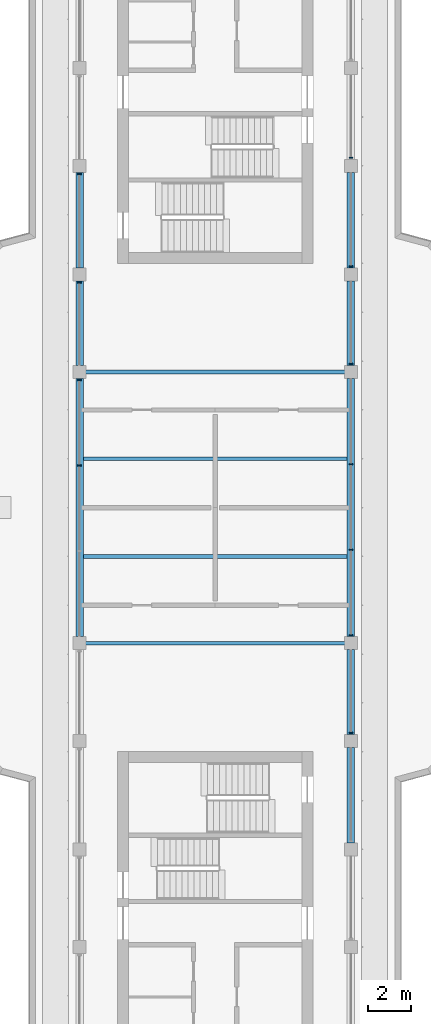
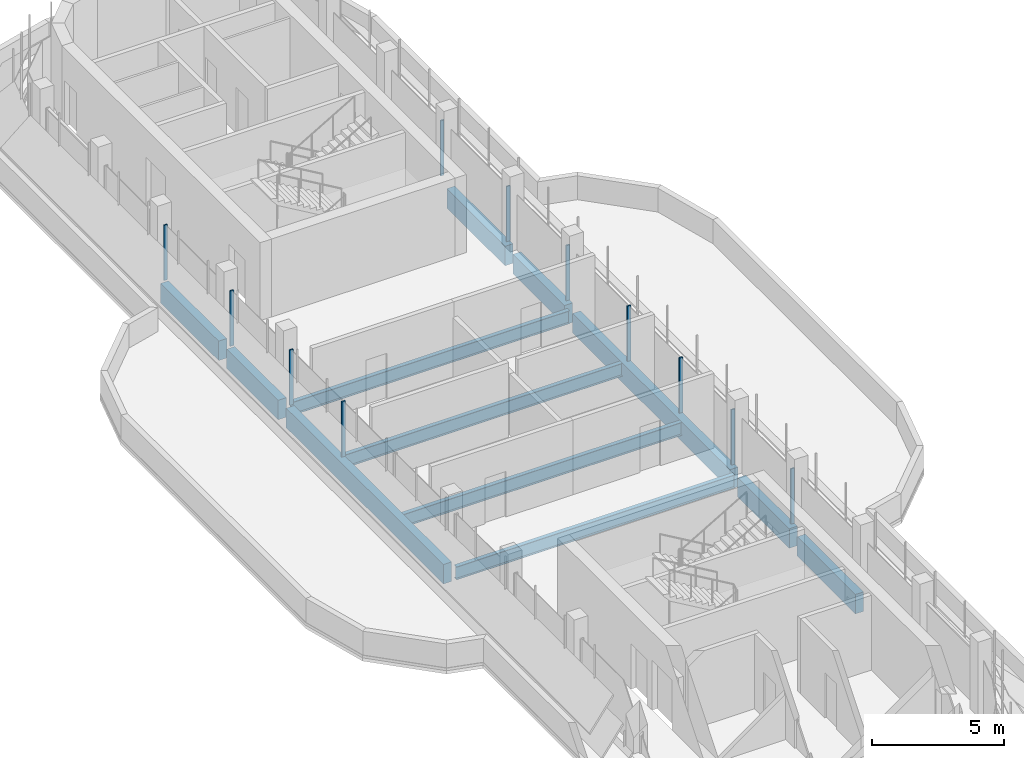
# One storey, part 3 of 12: 12 beams, 11 members, 2 elements without a shape of their own.
"""IFC4 building model written with IfcOpenShell, lengths in metres."""

from ifc_helpers import new_model, si_unit, direction, frame, origin, origin_2d, place, context, subcontext, project, spatial, polyline, rectangle, i_section, outline, extrude, source, transform, mapped, material, material_profile, profile_set, type_object, element, aggregate, save


model = new_model("IFC4")

# Units and contexts
model_context = context("Model", 3, precision=1e-05, world=origin(), true_north=direction((0.0, 1.0)))
body_context = subcontext(model_context, "Body", "Model", "MODEL_VIEW")
ifc_project = project(units=[si_unit("LENGTHUNIT", "METRE"), si_unit("AREAUNIT", "SQUARE_METRE"), si_unit("VOLUMEUNIT", "CUBIC_METRE"), si_unit("PLANEANGLEUNIT", "RADIAN"), si_unit("MASSUNIT", "GRAM", prefix="KILO")], contexts=[model_context])

# Site, building, storey
site_placement = place(None, origin())
site = spatial("IfcSite", under=ifc_project, at=site_placement, CompositionType="ELEMENT")
building_placement = place(site_placement, origin())
building = spatial("IfcBuilding", under=site, at=building_placement, Name="Zarbagh Exchange Tower", CompositionType="ELEMENT")
storey_placement = place(building_placement, frame((0.0, 0.0, 306.0)))
storey = spatial("IfcBuildingStorey", under=building, at=storey_placement, Name="L75", CompositionType="ELEMENT", Elevation=306.0)

# Beams
ifc_material_1 = material(Name="Steel ASTM A992 Gr 50", Category="steel")
ifc_material_profile_1 = material_profile(ifc_material_1, i_section(OverallWidth=0.1787109375, OverallDepth=0.60205078125, WebThickness=0.010986328125, FlangeThickness=0.014892578125, at=origin_2d()), Name="W24X62")
ifc_profile_set_1 = profile_set([ifc_material_profile_1], Name="Steel ASTM A992 Gr 50")
beam_type_1 = type_object("IfcBeamType", Name="Floor beam W24X62", PredefinedType="BEAM", material=ifc_profile_set_1)
for number, where, z_axis, x_axis, name in (
    (1, (-6.074951171875, -6.25, -0.450927734375), (1.0, 0.0, 0.0), (0.0, 1.0, 0.0), "Steel floor beam"),
    (2, (-6.074951171875, -2.25, -0.450927734375), (1.0, 0.0, 0.0), (0.0, 1.0, 0.0), "Steel floor beam"),
    (3, (-6.074951171875, 2.25, -0.450927734375), (1.0, 0.0, 0.0), (0.0, 1.0, 0.0), "Steel floor beam"),
    (4, (-6.074951171875, 6.25, -0.450927734375), (1.0, 0.0, 0.0), (0.0, 1.0, 0.0), "Steel floor beam"),
):
    element("IfcBeam", number, at=place(storey_placement, frame(where, z_axis=z_axis, x_axis=x_axis)), inside=storey, type_object=beam_type_1, Name=name, PredefinedType="BEAM", context=body_context, shape_type="SweptSolid", body=[
        extrude(i_section(OverallWidth=0.1787109375, OverallDepth=0.60205078125, WebThickness=0.010986328125, FlangeThickness=0.014892578125, at=origin_2d()), origin(), (0.0, 0.0, 1.0), 12.14990234375),
    ])
ifc_material_2 = material(Name="Concrete C40/50", Category="concrete")
ifc_material_profile_2 = material_profile(ifc_material_2, rectangle(XDim=0.35009765625, YDim=0.89990234375, at=origin_2d()), Name="RC spandrel beam 350 x 900 C40/50")
ifc_profile_set_2 = profile_set([ifc_material_profile_2], Name="Concrete C40/50")
beam_type_2 = type_object("IfcBeamType", Name="RC spandrel beam 350 x 900 C40/50", PredefinedType="SPANDREL", material=ifc_profile_set_2)
beam_1_placement = place(storey_placement, frame((-6.25, -5.949951171875, -0.60009765625), z_axis=(0.0, 1.0, 0.0), x_axis=(-1.0, 0.0, 0.0)))
element("IfcBeam", 5, at=beam_1_placement, inside=storey, type_object=beam_type_2, Name="RC spandrel beam", PredefinedType="SPANDREL", context=body_context, shape_type="SweptSolid", body=[
    extrude(rectangle(XDim=0.35009765625, YDim=0.89990234375, at=origin_2d()), origin(), (0.0, 0.0, 1.0), 11.89990234375),
])
beam_2_placement = place(storey_placement, frame((-6.25, 6.550048828125, -0.60009765625), z_axis=(0.0, 1.0, 0.0), x_axis=(-1.0, 0.0, 0.0)))
element("IfcBeam", 6, at=beam_2_placement, inside=storey, type_object=beam_type_2, Name="RC spandrel beam", PredefinedType="SPANDREL", context=body_context, shape_type="SweptSolid", body=[
    extrude(rectangle(XDim=0.35009765625, YDim=0.89990234375, at=origin_2d()), origin(), (0.0, 0.0, 1.0), 3.89990234375),
])
for number, where, z_axis, x_axis, name in (
    (7, (-6.25, 11.050048828125, -0.60009765625), (0.0, 1.0, 0.0), (-1.0, 0.0, 0.0), "RC spandrel beam"),
    (8, (6.25, 15.449951171875, -0.60009765625), (0.0, -1.0, 0.0), (1.0, 0.0, 0.0), "RC spandrel beam"),
):
    element("IfcBeam", number, at=place(storey_placement, frame(where, z_axis=z_axis, x_axis=x_axis)), inside=storey, type_object=beam_type_2, Name=name, PredefinedType="SPANDREL", context=body_context, shape_type="SweptSolid", body=[
        extrude(rectangle(XDim=0.35009765625, YDim=0.89990234375, at=origin_2d()), origin(), (0.0, 0.0, 1.0), 4.39990234375),
    ])
beam_3_placement = place(storey_placement, frame((6.25, 10.449951171875, -0.60009765625), z_axis=(0.0, -1.0, 0.0), x_axis=(1.0, 0.0, 0.0)))
element("IfcBeam", 9, at=beam_3_placement, inside=storey, type_object=beam_type_2, Name="RC spandrel beam", PredefinedType="SPANDREL", context=body_context, shape_type="SweptSolid", body=[
    extrude(rectangle(XDim=0.35009765625, YDim=0.89990234375, at=origin_2d()), origin(), (0.0, 0.0, 1.0), 3.89990234375),
])
beam_4_placement = place(storey_placement, frame((6.25, 5.949951171875, -0.60009765625), z_axis=(0.0, -1.0, 0.0), x_axis=(1.0, 0.0, 0.0)))
element("IfcBeam", 10, at=beam_4_placement, inside=storey, type_object=beam_type_2, Name="RC spandrel beam", PredefinedType="SPANDREL", context=body_context, shape_type="SweptSolid", body=[
    extrude(rectangle(XDim=0.35009765625, YDim=0.89990234375, at=origin_2d()), origin(), (0.0, 0.0, 1.0), 11.89990234375),
])
beam_5_placement = place(storey_placement, frame((6.25, -6.550048828125, -0.60009765625), z_axis=(0.0, -1.0, 0.0), x_axis=(1.0, 0.0, 0.0)))
element("IfcBeam", 11, at=beam_5_placement, inside=storey, type_object=beam_type_2, Name="RC spandrel beam", PredefinedType="SPANDREL", context=body_context, shape_type="SweptSolid", body=[
    extrude(rectangle(XDim=0.35009765625, YDim=0.89990234375, at=origin_2d()), origin(), (0.0, 0.0, 1.0), 3.89990234375),
])
beam_6_placement = place(storey_placement, frame((6.25, -11.050048828125, -0.60009765625), z_axis=(0.0, -1.0, 0.0), x_axis=(1.0, 0.0, 0.0)))
element("IfcBeam", 12, at=beam_6_placement, inside=storey, type_object=beam_type_2, Name="RC spandrel beam", PredefinedType="SPANDREL", context=body_context, shape_type="SweptSolid", body=[
    extrude(rectangle(XDim=0.35009765625, YDim=0.89990234375, at=origin_2d()), origin(), (0.0, 0.0, 1.0), 4.39990234375),
])

# Curtain wall, members
ifc_material_3 = material(Name="Anodised aluminium frame and glazing", Category="aluminium")
curtain_wall_type = type_object("IfcCurtainWallType", Name="CWF Crown tier glazing", PredefinedType="NOTDEFINED", material=ifc_material_3)
curtain_wall_1_placement = place(storey_placement, origin())
curtain_wall_1 = element("IfcCurtainWall", 13, at=curtain_wall_1_placement, inside=storey, type_object=curtain_wall_type, Name="CWF49 curtain wall", PredefinedType="NOTDEFINED")
ifc_material_4 = material(Name="Anodised aluminium frame", Category="aluminium")
member_type = type_object("IfcMemberType", Name="MUF Mullion, anodised aluminium frame", PredefinedType="MULLION", material=ifc_material_4)
shared_shape = source(origin(), body_context, "Body", "SweptSolid", [
    extrude(outline(polyline([(0.0, -0.080078125), (0.06005859375, -0.080078125), (0.06005859375, 0.080078125), (0.0, 0.080078125), (0.0, -0.080078125)])), origin(), (0.0, 0.0, 1.0), 2.550048828125),
])
placement = place(storey_placement, origin())
member_1 = element("IfcMember", 14, at=placement, type_object=member_type, Name="CWF49 mullion 4.1", PredefinedType="MULLION", context=body_context, shape_type="MappedRepresentation", body=[
    mapped(shared_shape, transform((6.25, -10.409912109375, 0.0), x_axis=(0.0, 1.0, 0.0), y_axis=(-1.0, 0.0, 0.0), z_axis=(0.0, 0.0, 1.0))),
])
member_2 = element("IfcMember", 15, at=placement, type_object=member_type, Name="CWF49 mullion 5.1", PredefinedType="MULLION", context=body_context, shape_type="MappedRepresentation", body=[
    mapped(shared_shape, transform((6.25, -5.909912109375, 0.0), x_axis=(0.0, 1.0, 0.0), y_axis=(-1.0, 0.0, 0.0), z_axis=(0.0, 0.0, 1.0))),
])
member_3 = element("IfcMember", 16, at=placement, type_object=member_type, Name="CWF49 mullion 5.2", PredefinedType="MULLION", context=body_context, shape_type="MappedRepresentation", body=[
    mapped(shared_shape, transform((6.25, -1.969970703125, 0.0), x_axis=(0.0, 1.0, 0.0), y_axis=(-1.0, 0.0, 0.0), z_axis=(0.0, 0.0, 1.0))),
])
member_4 = element("IfcMember", 17, at=placement, type_object=member_type, Name="CWF49 mullion 5.3", PredefinedType="MULLION", context=body_context, shape_type="MappedRepresentation", body=[
    mapped(shared_shape, transform((6.25, 1.969970703125, 0.0), x_axis=(0.0, 1.0, 0.0), y_axis=(-1.0, 0.0, 0.0), z_axis=(0.0, 0.0, 1.0))),
])
member_5 = element("IfcMember", 18, at=placement, type_object=member_type, Name="CWF49 mullion 6.1", PredefinedType="MULLION", context=body_context, shape_type="MappedRepresentation", body=[
    mapped(shared_shape, transform((6.25, 6.590087890625, 0.0), x_axis=(0.0, 1.0, 0.0), y_axis=(-1.0, 0.0, 0.0), z_axis=(0.0, 0.0, 1.0))),
])
member_6 = element("IfcMember", 19, at=placement, type_object=member_type, Name="CWF49 mullion 7.1", PredefinedType="MULLION", context=body_context, shape_type="MappedRepresentation", body=[
    mapped(shared_shape, transform((6.25, 11.090087890625, 0.0), x_axis=(0.0, 1.0, 0.0), y_axis=(-1.0, 0.0, 0.0), z_axis=(0.0, 0.0, 1.0))),
])
member_7 = element("IfcMember", 20, at=placement, type_object=member_type, Name="CWF49 mullion 8.1", PredefinedType="MULLION", context=body_context, shape_type="MappedRepresentation", body=[
    mapped(shared_shape, transform((6.25, 16.090087890625, 0.0), x_axis=(0.0, 1.0, 0.0), y_axis=(-1.0, 0.0, 0.0), z_axis=(0.0, 0.0, 1.0))),
])
aggregate(curtain_wall_1, [member_1, member_2, member_3, member_4, member_5, member_6, member_7])

curtain_wall_2_placement = place(storey_placement, origin())
curtain_wall_2 = element("IfcCurtainWall", 21, at=curtain_wall_2_placement, inside=storey, type_object=curtain_wall_type, Name="CWF50 curtain wall", PredefinedType="NOTDEFINED")
member_8 = element("IfcMember", 22, at=placement, type_object=member_type, Name="CWF50 mullion 3.1", PredefinedType="MULLION", context=body_context, shape_type="MappedRepresentation", body=[
    mapped(shared_shape, transform((-6.25, 15.409912109375, 0.0), x_axis=(0.0, -1.0, 0.0), y_axis=(1.0, 0.0, 0.0), z_axis=(0.0, 0.0, 1.0))),
])
member_9 = element("IfcMember", 23, at=placement, type_object=member_type, Name="CWF50 mullion 4.1", PredefinedType="MULLION", context=body_context, shape_type="MappedRepresentation", body=[
    mapped(shared_shape, transform((-6.25, 10.409912109375, 0.0), x_axis=(0.0, -1.0, 0.0), y_axis=(1.0, 0.0, 0.0), z_axis=(0.0, 0.0, 1.0))),
])
member_10 = element("IfcMember", 24, at=placement, type_object=member_type, Name="CWF50 mullion 5.1", PredefinedType="MULLION", context=body_context, shape_type="MappedRepresentation", body=[
    mapped(shared_shape, transform((-6.25, 5.909912109375, 0.0), x_axis=(0.0, -1.0, 0.0), y_axis=(1.0, 0.0, 0.0), z_axis=(0.0, 0.0, 1.0))),
])
member_11 = element("IfcMember", 25, at=placement, type_object=member_type, Name="CWF50 mullion 5.2", PredefinedType="MULLION", context=body_context, shape_type="MappedRepresentation", body=[
    mapped(shared_shape, transform((-6.25, 1.969970703125, 0.0), x_axis=(0.0, -1.0, 0.0), y_axis=(1.0, 0.0, 0.0), z_axis=(0.0, 0.0, 1.0))),
])
aggregate(curtain_wall_2, [member_8, member_9, member_10, member_11])

save(model, "model.ifc")
